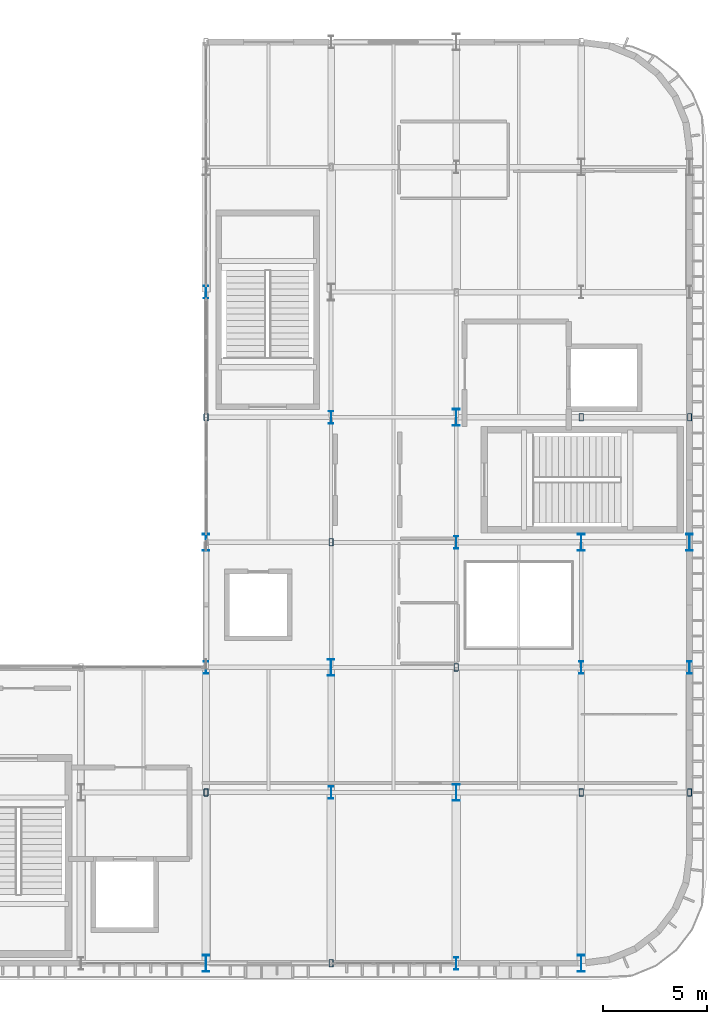
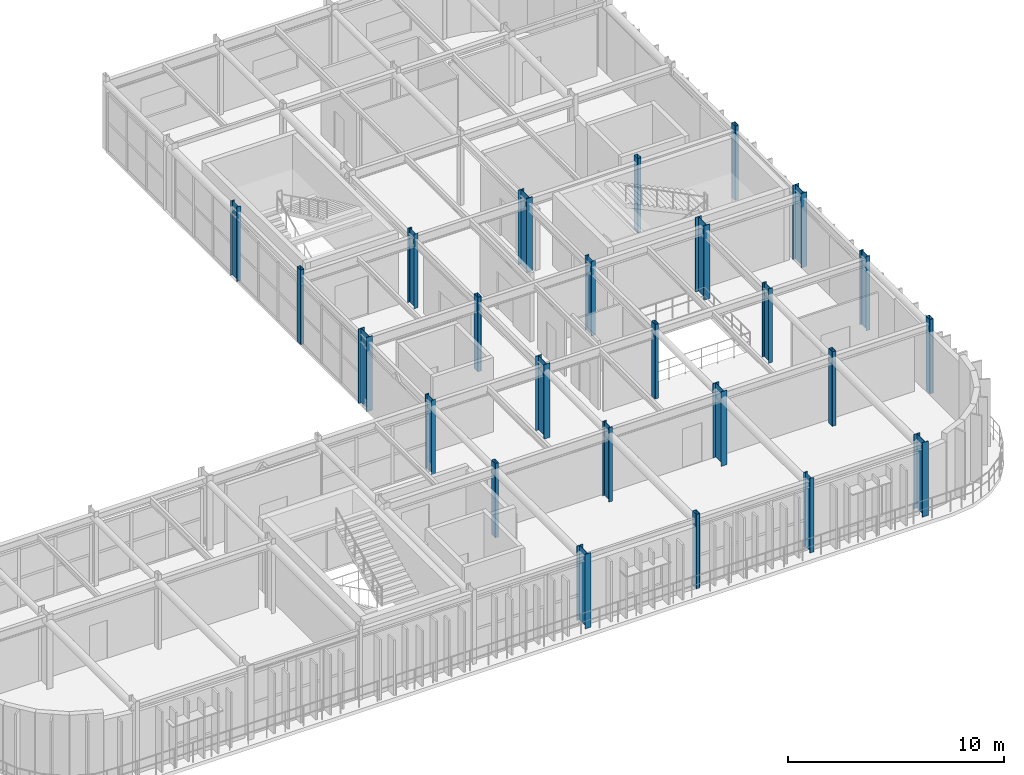
# One storey, part 22 of 116: 25 columns.
"""IFC4 building model written with IfcOpenShell, lengths in metres."""

from ifc_helpers import new_model, si_unit, direction, frame, origin, origin_2d, place, context, subcontext, project, spatial, hollow_rectangle, i_section, extrude, material, material_profile, profile_set, type_object, element, save


model = new_model("IFC4")

# Units and contexts
model_context = context("Model", 3, precision=1e-05, world=origin(), true_north=direction((0.0, 1.0)))
body_context = subcontext(model_context, "Body", "Model", "MODEL_VIEW")
ifc_project = project(units=[si_unit("LENGTHUNIT", "METRE"), si_unit("AREAUNIT", "SQUARE_METRE"), si_unit("VOLUMEUNIT", "CUBIC_METRE"), si_unit("PLANEANGLEUNIT", "RADIAN"), si_unit("MASSUNIT", "GRAM", prefix="KILO")], contexts=[model_context])

# Site, building, storey
site_placement = place(None, origin())
site = spatial("IfcSite", under=ifc_project, at=site_placement, CompositionType="ELEMENT")
building_placement = place(site_placement, origin())
building = spatial("IfcBuilding", under=site, at=building_placement, Name="Varnakota Square Police Headquarters", CompositionType="ELEMENT")
storey_placement = place(building_placement, frame((0.0, 0.0, 9.300048828125)))
storey = spatial("IfcBuildingStorey", under=building, at=storey_placement, Name="L02", CompositionType="ELEMENT", Elevation=9.300048828125)

# Columns
ifc_material = material(Name="Steel IS 2062 Grade 350", Category="steel")
ifc_material_profile_1 = material_profile(ifc_material, i_section(OverallWidth=0.320068359375, OverallDepth=0.800048828125, WebThickness=0.01611328125, FlangeThickness=0.028076171875, at=origin_2d()), Name="BPG 800x320")
ifc_profile_set_1 = profile_set([ifc_material_profile_1], Name="Steel IS 2062 Grade 350")
column_type_1 = type_object("IfcColumnType", Name="COL-BPG800", PredefinedType="COLUMN", material=ifc_profile_set_1)
for number, where, z_axis, x_axis, name in (
    (1, (138.0, 0.800048828125, 0.0), (0.0, 0.0, 1.0), (1.0, 0.0, 0.0), "Column X1380-Y0008 L02"),
    (2, (138.0, 21.0, 0.0), (0.0, 0.0, 1.0), (1.0, 0.0, 0.0), "Column X1380-Y0210 L02"),
    (3, (144.0, 15.0, 0.0), (0.0, 0.0, 1.0), (1.0, 0.0, 0.0), "Column X1440-Y0150 L02"),
    (4, (150.0, 9.0, 0.0), (0.0, 0.0, 1.0), (1.0, 0.0, 0.0), "Column X1500-Y0090 L02"),
    (5, (150.0, 27.0, 0.0), (0.0, 0.0, 1.0), (1.0, 0.0, 0.0), "Column X1500-Y0270 L02"),
    (6, (156.0, 0.800048828125, 0.0), (0.0, 0.0, 1.0), (1.0, 0.0, 0.0), "Column X1560-Y0008 L02"),
    (7, (156.0, 21.0, 0.0), (0.0, 0.0, 1.0), (1.0, 0.0, 0.0), "Column X1560-Y0210 L02"),
    (8, (161.199951171875, 21.0, 0.0), (0.0, 0.0, 1.0), (1.0, 0.0, 0.0), "Column X1612-Y0210 L02"),
):
    element("IfcColumn", number, at=place(storey_placement, frame(where, z_axis=z_axis, x_axis=x_axis)), inside=storey, type_object=column_type_1, Name=name, PredefinedType="COLUMN", context=body_context, shape_type="SweptSolid", body=[
        extrude(i_section(OverallWidth=0.320068359375, OverallDepth=0.800048828125, WebThickness=0.01611328125, FlangeThickness=0.028076171875, at=origin_2d()), origin(), (0.0, 0.0, 1.0), 4.199951171875),
    ])
ifc_material_profile_2 = material_profile(ifc_material, i_section(OverallWidth=0.2099609375, OverallDepth=0.60009765625, WebThickness=0.011962890625, FlangeThickness=0.020751953125, FilletRadius=0.02001953125, at=origin_2d()), Name="ISMB 600")
ifc_profile_set_2 = profile_set([ifc_material_profile_2], Name="Steel IS 2062 Grade 350")
column_type_2 = type_object("IfcColumnType", Name="COL-ISMB600", PredefinedType="COLUMN", material=ifc_profile_set_2)
for number, where, z_axis, x_axis, name in (
    (9, (138.0, 15.0, 0.0), (0.0, 0.0, 1.0), (1.0, 0.0, 0.0), "Column X1380-Y0150 L02"),
    (10, (138.0, 33.0, 0.0), (0.0, 0.0, 1.0), (1.0, 0.0, 0.0), "Column X1380-Y0330 L02"),
    (11, (144.0, 9.0, 0.0), (0.0, 0.0, 1.0), (1.0, 0.0, 0.0), "Column X1440-Y0090 L02"),
    (12, (144.0, 27.0, 0.0), (0.0, 0.0, 1.0), (1.0, 0.0, 0.0), "Column X1440-Y0270 L02"),
    (13, (150.0, 0.800048828125, 0.0), (0.0, 0.0, 1.0), (1.0, 0.0, 0.0), "Column X1500-Y0008 L02"),
    (14, (150.0, 21.0, 0.0), (0.0, 0.0, 1.0), (1.0, 0.0, 0.0), "Column X1500-Y0210 L02"),
    (15, (156.0, 15.0, 0.0), (0.0, 0.0, 1.0), (1.0, 0.0, 0.0), "Column X1560-Y0150 L02"),
    (16, (161.199951171875, 15.0, 0.0), (0.0, 0.0, 1.0), (1.0, 0.0, 0.0), "Column X1612-Y0150 L02"),
):
    element("IfcColumn", number, at=place(storey_placement, frame(where, z_axis=z_axis, x_axis=x_axis)), inside=storey, type_object=column_type_2, Name=name, PredefinedType="COLUMN", context=body_context, shape_type="SweptSolid", body=[
        extrude(i_section(OverallWidth=0.2099609375, OverallDepth=0.60009765625, WebThickness=0.011962890625, FlangeThickness=0.020751953125, FilletRadius=0.02001953125, at=origin_2d()), origin(), (0.0, 0.0, 1.0), 4.199951171875),
    ])
ifc_material_profile_3 = material_profile(ifc_material, hollow_rectangle(XDim=0.199951171875, YDim=0.35009765625, WallThickness=0.011962890625, InnerFilletRadius=0.011962890625, OuterFilletRadius=0.02392578125, at=origin_2d()), Name="RHS 350x200x12")
ifc_profile_set_3 = profile_set([ifc_material_profile_3], Name="Steel IS 2062 Grade 350")
column_type_3 = type_object("IfcColumnType", Name="COL-RHS350", PredefinedType="COLUMN", material=ifc_profile_set_3)
for number, where, z_axis, x_axis, name in (
    (17, (138.0, 9.0, 0.0), (0.0, 0.0, 1.0), (1.0, 0.0, 0.0), "Column X1380-Y0090 L02"),
    (18, (138.0, 27.0, 0.0), (0.0, 0.0, 1.0), (1.0, 0.0, 0.0), "Column X1380-Y0270 L02"),
    (19, (144.0, 0.800048828125, 0.0), (0.0, 0.0, 1.0), (1.0, 0.0, 0.0), "Column X1440-Y0008 L02"),
    (20, (144.0, 21.0, 0.0), (0.0, 0.0, 1.0), (1.0, 0.0, 0.0), "Column X1440-Y0210 L02"),
    (21, (150.0, 15.0, 0.0), (0.0, 0.0, 1.0), (1.0, 0.0, 0.0), "Column X1500-Y0150 L02"),
    (22, (156.0, 9.0, 0.0), (0.0, 0.0, 1.0), (1.0, 0.0, 0.0), "Column X1560-Y0090 L02"),
    (23, (156.0, 27.0, 0.0), (0.0, 0.0, 1.0), (1.0, 0.0, 0.0), "Column X1560-Y0270 L02"),
    (24, (161.199951171875, 9.0, 0.0), (0.0, 0.0, 1.0), (1.0, 0.0, 0.0), "Column X1612-Y0090 L02"),
    (25, (161.199951171875, 27.0, 0.0), (0.0, 0.0, 1.0), (1.0, 0.0, 0.0), "Column X1612-Y0270 L02"),
):
    element("IfcColumn", number, at=place(storey_placement, frame(where, z_axis=z_axis, x_axis=x_axis)), inside=storey, type_object=column_type_3, Name=name, PredefinedType="COLUMN", context=body_context, shape_type="SweptSolid", body=[
        extrude(hollow_rectangle(XDim=0.199951171875, YDim=0.35009765625, WallThickness=0.011962890625, InnerFilletRadius=0.011962890625, OuterFilletRadius=0.02392578125, at=origin_2d()), origin(), (0.0, 0.0, 1.0), 4.199951171875),
    ])

save(model, "model.ifc")
